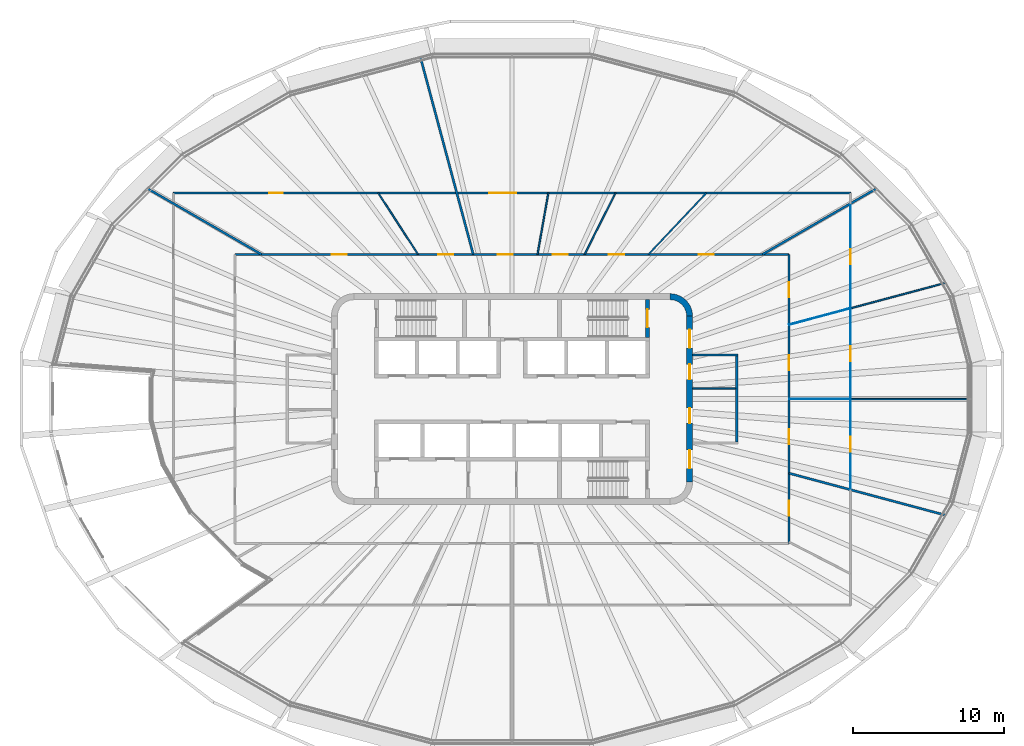
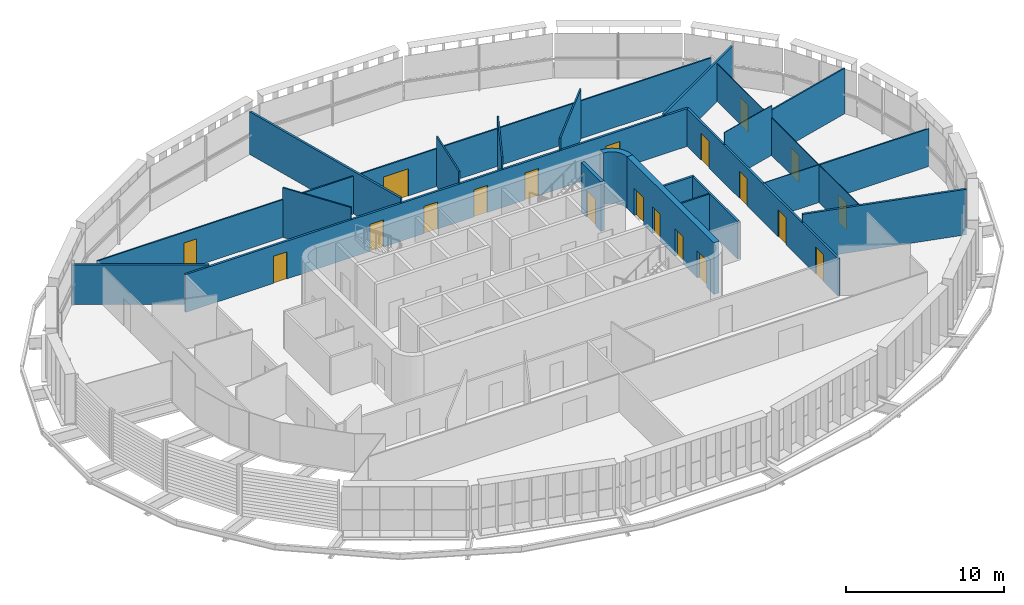
# One storey, part 12 of 20: 22 walls, 20 doors, 20 openings.
"""IFC4 building model written with IfcOpenShell, lengths in metres."""

from ifc_helpers import new_model, si_unit, direction, frame, frame_2d, origin, place, context, subcontext, project, spatial, polyline, rectangle, outline, extrude, material, layer, layer_set, type_object, element, fill, save


model = new_model("IFC4")

# Units and contexts
model_context = context("Model", 3, precision=1e-05, world=origin(), true_north=direction((0.0, 1.0)))
body_context = subcontext(model_context, "Body", "Model", "MODEL_VIEW")
ifc_project = project(units=[si_unit("LENGTHUNIT", "METRE"), si_unit("AREAUNIT", "SQUARE_METRE"), si_unit("VOLUMEUNIT", "CUBIC_METRE"), si_unit("PLANEANGLEUNIT", "RADIAN"), si_unit("MASSUNIT", "GRAM", prefix="KILO")], contexts=[model_context])

# Site, building, storey
site_placement = place(None, origin())
site = spatial("IfcSite", under=ifc_project, at=site_placement, CompositionType="ELEMENT")
building_placement = place(site_placement, origin())
building = spatial("IfcBuilding", under=site, at=building_placement, Name="Sahrelin Media Tower", CompositionType="ELEMENT")
storey_placement = place(building_placement, frame((0.0, 0.0, 225.60009765625)))
storey = spatial("IfcBuildingStorey", under=building, at=storey_placement, Name="L48", CompositionType="ELEMENT", Elevation=225.60009765625)

# Wall, openings, doors
ifc_material_1 = material(Name="Concrete C60/75", Category="concrete")
ifc_layer_1 = layer(ifc_material_1, 0.39990234375)
ifc_layer_set_1 = layer_set([ifc_layer_1], Name="Core wall 400")
wall_type_1 = type_object("IfcWallType", Name="Core wall 400", PredefinedType="SHEAR", material=ifc_layer_set_1)
wall_1_placement = place(storey_placement, frame((11.800048828125, -5.5, 0.0), z_axis=(0.0, 0.0, 1.0), x_axis=(0.0, 1.0, 0.0)))
wall_1 = element("IfcWall", 1, at=wall_1_placement, inside=storey, type_object=wall_type_1, Name="Core wall E L48", PredefinedType="SHEAR", context=body_context, shape_type="SweptSolid", body=[
    extrude(rectangle(XDim=11.0, YDim=0.39990234375, at=frame_2d((5.5, 0.0))), origin(), (0.0, 0.0, 1.0), 4.0),
])
opening_1_placement = place(wall_1_placement, frame((3.89990234375, 0.0, 0.0)))
opening_1 = element("IfcOpeningElement", 2, at=opening_1_placement, cuts=wall_1, Name="Opening L48-D12", PredefinedType="OPENING", context=body_context, shape_type="SweptSolid", body=[
    extrude(rectangle(XDim=1.0, YDim=2.10009765625, at=frame_2d((0.5, 1.050048828125))), frame((0.0, 0.199951171875, 0.0), z_axis=(0.0, -1.0, 0.0), x_axis=(1.0, 0.0, 0.0)), (0.0, 0.0, 1.0), 0.39990234375),
])
opening_2_placement = place(wall_1_placement, frame((6.800048828125, 0.0, 0.0)))
opening_2 = element("IfcOpeningElement", 3, at=opening_2_placement, cuts=wall_1, Name="Opening L48-D13", PredefinedType="OPENING", context=body_context, shape_type="SweptSolid", body=[
    extrude(rectangle(XDim=1.0, YDim=2.10009765625, at=frame_2d((0.5, 1.050048828125))), frame((0.0, 0.199951171875, 0.0), z_axis=(0.0, -1.0, 0.0), x_axis=(1.0, 0.0, 0.0)), (0.0, 0.0, 1.0), 0.39990234375),
])
opening_3_placement = place(wall_1_placement, frame((0.89990234375, 0.0, 0.0)))
opening_3 = element("IfcOpeningElement", 4, at=opening_3_placement, cuts=wall_1, Name="Opening L48-D16", PredefinedType="OPENING", context=body_context, shape_type="SweptSolid", body=[
    extrude(rectangle(XDim=1.199951171875, YDim=2.10009765625, at=frame_2d((0.60009765625, 1.050048828125))), frame((0.0, 0.199951171875, 0.0), z_axis=(0.0, -1.0, 0.0), x_axis=(1.0, 0.0, 0.0)), (0.0, 0.0, 1.0), 0.39990234375),
])
opening_4_placement = place(wall_1_placement, frame((8.89990234375, 0.0, 0.0)))
opening_4 = element("IfcOpeningElement", 5, at=opening_4_placement, cuts=wall_1, Name="Opening L48-D17", PredefinedType="OPENING", context=body_context, shape_type="SweptSolid", body=[
    extrude(rectangle(XDim=1.199951171875, YDim=2.10009765625, at=frame_2d((0.60009765625, 1.050048828125))), frame((0.0, 0.199951171875, 0.0), z_axis=(0.0, -1.0, 0.0), x_axis=(1.0, 0.0, 0.0)), (0.0, 0.0, 1.0), 0.39990234375),
])
ifc_material_2 = material(Name="Steel fire door leaf", Category="steel")
door_type_1 = type_object("IfcDoorType", Name="Fire door 1000 x 2100 EI 60", OperationType="NOTDEFINED", PredefinedType="DOOR", material=ifc_material_2)
door_1_placement = place(opening_1_placement, origin())
door_1 = element("IfcDoor", 6, at=door_1_placement, inside=storey, type_object=door_type_1, Name="Core room door", OperationType="SINGLE_SWING_RIGHT", OverallHeight=2.10009765625, OverallWidth=1.0, PredefinedType="DOOR", context=body_context, shape_type="SweptSolid", body=[
    extrude(rectangle(XDim=1.0, YDim=2.10009765625, at=frame_2d((0.5, 1.050048828125))), frame((0.0, 0.02490234375, 0.0), z_axis=(0.0, -1.0, 0.0), x_axis=(1.0, 0.0, 0.0)), (0.0, 0.0, 1.0), 0.050048828125),
])
fill(opening_1, door_1)
door_2_placement = place(opening_2_placement, origin())
door_2 = element("IfcDoor", 7, at=door_2_placement, inside=storey, type_object=door_type_1, Name="Core room door", OperationType="SINGLE_SWING_RIGHT", OverallHeight=2.10009765625, OverallWidth=1.0, PredefinedType="DOOR", context=body_context, shape_type="SweptSolid", body=[
    extrude(rectangle(XDim=1.0, YDim=2.10009765625, at=frame_2d((0.5, 1.050048828125))), frame((0.0, 0.02490234375, 0.0), z_axis=(0.0, -1.0, 0.0), x_axis=(1.0, 0.0, 0.0)), (0.0, 0.0, 1.0), 0.050048828125),
])
fill(opening_2, door_2)
door_type_2 = type_object("IfcDoorType", Name="Lobby door 1200 x 2100 EI 60", OperationType="NOTDEFINED", PredefinedType="DOOR", material=ifc_material_2)
door_3_placement = place(opening_3_placement, origin())
door_3 = element("IfcDoor", 8, at=door_3_placement, inside=storey, type_object=door_type_2, Name="Lobby door", OperationType="SINGLE_SWING_LEFT", OverallHeight=2.10009765625, OverallWidth=1.199951171875, PredefinedType="DOOR", context=body_context, shape_type="SweptSolid", body=[
    extrude(rectangle(XDim=1.199951171875, YDim=2.10009765625, at=frame_2d((0.60009765625, 1.050048828125))), frame((0.0, 0.02490234375, 0.0), z_axis=(0.0, -1.0, 0.0), x_axis=(1.0, 0.0, 0.0)), (0.0, 0.0, 1.0), 0.050048828125),
])
fill(opening_3, door_3)
door_4_placement = place(opening_4_placement, origin())
door_4 = element("IfcDoor", 9, at=door_4_placement, inside=storey, type_object=door_type_2, Name="Lobby door", OperationType="SINGLE_SWING_LEFT", OverallHeight=2.10009765625, OverallWidth=1.199951171875, PredefinedType="DOOR", context=body_context, shape_type="SweptSolid", body=[
    extrude(rectangle(XDim=1.199951171875, YDim=2.10009765625, at=frame_2d((0.60009765625, 1.050048828125))), frame((0.0, 0.02490234375, 0.0), z_axis=(0.0, -1.0, 0.0), x_axis=(1.0, 0.0, 0.0)), (0.0, 0.0, 1.0), 0.050048828125),
])
fill(opening_4, door_4)

# Walls
wall_2_placement = place(storey_placement, origin())
element("IfcWall", 10, at=wall_2_placement, inside=storey, type_object=wall_type_1, Name="Core wall corner NE L48", PredefinedType="SHEAR", context=body_context, shape_type="SweptSolid", body=[
    extrude(outline(polyline([(10.5, 7.0), (10.5, 6.596435546875), (10.78369140625, 6.55908203125), (11.04833984375, 6.44970703125), (11.275390625, 6.275390625), (11.44970703125, 6.04833984375), (11.55908203125, 5.78369140625), (11.596435546875, 5.5), (12.0, 5.5), (11.948974609375, 5.88818359375), (11.799072265625, 6.25), (11.560791015625, 6.560791015625), (11.25, 6.799072265625), (10.88818359375, 6.948974609375), (10.5, 7.0)])), origin(), (0.0, 0.0, 1.0), 4.0),
])
ifc_material_3 = material(Name="Fire-rated gypsum board partition")
ifc_layer_2 = layer(ifc_material_3, 0.10009765625)
ifc_layer_set_2 = layer_set([ifc_layer_2], Name="Fire-rated partition 100")
wall_type_2 = type_object("IfcWallType", Name="Fire-rated partition 100", PredefinedType="PARTITIONING", material=ifc_layer_set_2)
wall_3_placement = place(storey_placement, frame((12.0, 0.699951171875, 0.0), z_axis=(0.0, 0.0, 1.0), x_axis=(1.0, 0.0, 0.0)))
element("IfcWall", 11, at=wall_3_placement, inside=storey, type_object=wall_type_2, Name="Core room partition", PredefinedType="PARTITIONING", context=body_context, shape_type="SweptSolid", body=[
    extrude(rectangle(XDim=2.85009765625, YDim=0.10009765625, at=frame_2d((1.425048828125, 0.0))), origin(), (0.0, 0.0, 1.0), 2.918212890625),
])
ifc_layer_3 = layer(ifc_material_3, 0.14990234375)
ifc_layer_set_3 = layer_set([ifc_layer_3], Name="Fire-rated partition 150")
wall_type_3 = type_object("IfcWallType", Name="Fire-rated partition 150", PredefinedType="PARTITIONING", material=ifc_layer_set_3)
wall_4_placement = place(storey_placement, frame((14.925048828125, -2.85009765625, 0.0), z_axis=(0.0, 0.0, 1.0), x_axis=(0.0, 1.0, 0.0)))
element("IfcWall", 12, at=wall_4_placement, inside=storey, type_object=wall_type_3, Name="Core room fire partition", PredefinedType="PARTITIONING", context=body_context, shape_type="SweptSolid", body=[
    extrude(rectangle(XDim=5.7001953125, YDim=0.14990234375, at=frame_2d((2.85009765625, 0.0))), origin(), (0.0, 0.0, 1.0), 2.918212890625),
])
wall_5_placement = place(storey_placement, frame((12.0, 2.925048828125, 0.0), z_axis=(0.0, 0.0, 1.0), x_axis=(1.0, 0.0, 0.0)))
element("IfcWall", 13, at=wall_5_placement, inside=storey, type_object=wall_type_3, Name="Core room fire partition", PredefinedType="PARTITIONING", context=body_context, shape_type="SweptSolid", body=[
    extrude(rectangle(XDim=3.0, YDim=0.14990234375, at=frame_2d((1.5, 0.0))), origin(), (0.0, 0.0, 1.0), 2.918212890625),
])
wall_6_placement = place(storey_placement, frame((-6.080078125, 22.68994140625, 0.0), z_axis=(0.0, 0.0, 1.0), x_axis=(0.258842041415, -0.965919664152, 0.0)))
element("IfcWall", 14, at=wall_6_placement, inside=storey, type_object=wall_type_3, Name="Wall", PredefinedType="PARTITIONING", context=body_context, shape_type="SweptSolid", body=[
    extrude(rectangle(XDim=13.552001953125, YDim=0.14990234375, at=frame_2d((6.77587890625, 0.0))), origin(), (0.0, 0.0, 1.0), 3.301513671875),
])
wall_7_placement = place(storey_placement, frame((-24.18994140625, 13.966064453125, 0.0), z_axis=(0.0, 0.0, 1.0), x_axis=(0.866042650443, -0.499970126722, 0.0)))
element("IfcWall", 15, at=wall_7_placement, inside=storey, type_object=wall_type_3, Name="Wall", PredefinedType="PARTITIONING", context=body_context, shape_type="SweptSolid", body=[
    extrude(rectangle(XDim=8.73193359375, YDim=0.14990234375, at=frame_2d((4.365966796875, 0.0))), origin(), (0.0, 0.0, 1.0), 3.075927734375),
])
wall_8_placement = place(storey_placement, frame((18.39990234375, -4.929931640625, 0.0), z_axis=(0.0, 0.0, 1.0), x_axis=(0.965918203443, -0.258847492275, 0.0)))
element("IfcWall", 16, at=wall_8_placement, inside=storey, type_object=wall_type_3, Name="Wall", PredefinedType="PARTITIONING", context=body_context, shape_type="SweptSolid", body=[
    extrude(rectangle(XDim=10.771240234375, YDim=0.14990234375, at=frame_2d((5.3857421875, 0.0))), origin(), (0.0, 0.0, 1.0), 3.526611328125),
])

# Wall, openings, doors
wall_9_placement = place(storey_placement, frame((-18.39990234375, 9.60009765625, 0.0), z_axis=(0.0, 0.0, 1.0), x_axis=(1.0, 0.0, 0.0)))
wall_9 = element("IfcWall", 17, at=wall_9_placement, inside=storey, type_object=wall_type_3, Name="Wall", PredefinedType="PARTITIONING", context=body_context, shape_type="SweptSolid", body=[
    extrude(rectangle(XDim=36.7998046875, YDim=0.14990234375, at=frame_2d((18.39990234375, 0.0))), origin(), (0.0, 0.0, 1.0), 2.927001953125),
])
opening_5_placement = place(wall_9_placement, frame((30.793212890625, 0.0, 0.0)))
opening_5 = element("IfcOpeningElement", 18, at=opening_5_placement, cuts=wall_9, Name="Opening L48-D37", PredefinedType="OPENING", context=body_context, shape_type="SweptSolid", body=[
    extrude(rectangle(XDim=1.0, YDim=2.10009765625, at=frame_2d((0.5, 1.050048828125))), frame((0.0, 0.074951171875, 0.0), z_axis=(0.0, -1.0, 0.0), x_axis=(1.0, 0.0, 0.0)), (0.0, 0.0, 1.0), 0.14990234375),
])
opening_6_placement = place(wall_9_placement, frame((24.839599609375, 0.0, 0.0)))
opening_6 = element("IfcOpeningElement", 19, at=opening_6_placement, cuts=wall_9, Name="Opening L48-D38", PredefinedType="OPENING", context=body_context, shape_type="SweptSolid", body=[
    extrude(rectangle(XDim=1.0, YDim=2.10009765625, at=frame_2d((0.5, 1.050048828125))), frame((0.0, 0.074951171875, 0.0), z_axis=(0.0, -1.0, 0.0), x_axis=(1.0, 0.0, 0.0)), (0.0, 0.0, 1.0), 0.14990234375),
])
opening_7_placement = place(wall_9_placement, frame((21.10595703125, 0.0, 0.0)))
opening_7 = element("IfcOpeningElement", 20, at=opening_7_placement, cuts=wall_9, Name="Opening L48-D39", PredefinedType="OPENING", context=body_context, shape_type="SweptSolid", body=[
    extrude(rectangle(XDim=1.0, YDim=2.10009765625, at=frame_2d((0.5, 1.050048828125))), frame((0.0, 0.074951171875, 0.0), z_axis=(0.0, -1.0, 0.0), x_axis=(1.0, 0.0, 0.0)), (0.0, 0.0, 1.0), 0.14990234375),
])
opening_8_placement = place(wall_9_placement, frame((17.46044921875, 0.0, 0.0)))
opening_8 = element("IfcOpeningElement", 21, at=opening_8_placement, cuts=wall_9, Name="Opening L48-D40", PredefinedType="OPENING", context=body_context, shape_type="SweptSolid", body=[
    extrude(rectangle(XDim=1.0, YDim=2.10009765625, at=frame_2d((0.5, 1.050048828125))), frame((0.0, 0.074951171875, 0.0), z_axis=(0.0, -1.0, 0.0), x_axis=(1.0, 0.0, 0.0)), (0.0, 0.0, 1.0), 0.14990234375),
])
opening_9_placement = place(wall_9_placement, frame((13.4970703125, 0.0, 0.0)))
opening_9 = element("IfcOpeningElement", 22, at=opening_9_placement, cuts=wall_9, Name="Opening L48-D42", PredefinedType="OPENING", context=body_context, shape_type="SweptSolid", body=[
    extrude(rectangle(XDim=1.0, YDim=2.10009765625, at=frame_2d((0.5, 1.050048828125))), frame((0.0, 0.074951171875, 0.0), z_axis=(0.0, -1.0, 0.0), x_axis=(1.0, 0.0, 0.0)), (0.0, 0.0, 1.0), 0.14990234375),
])
opening_10_placement = place(wall_9_placement, frame((6.41845703125, 0.0, 0.0)))
opening_10 = element("IfcOpeningElement", 23, at=opening_10_placement, cuts=wall_9, Name="Opening L48-D43", PredefinedType="OPENING", context=body_context, shape_type="SweptSolid", body=[
    extrude(rectangle(XDim=1.0, YDim=2.10009765625, at=frame_2d((0.5, 1.050048828125))), frame((0.0, 0.074951171875, 0.0), z_axis=(0.0, -1.0, 0.0), x_axis=(1.0, 0.0, 0.0)), (0.0, 0.0, 1.0), 0.14990234375),
])
door_5_placement = place(opening_5_placement, origin())
door_5 = element("IfcDoor", 24, at=door_5_placement, inside=storey, type_object=door_type_1, Name="Fire door", OperationType="SINGLE_SWING_LEFT", OverallHeight=2.10009765625, OverallWidth=1.0, PredefinedType="DOOR", context=body_context, shape_type="SweptSolid", body=[
    extrude(rectangle(XDim=1.0, YDim=2.10009765625, at=frame_2d((0.5, 1.050048828125))), frame((0.0, 0.02490234375, 0.0), z_axis=(0.0, -1.0, 0.0), x_axis=(1.0, 0.0, 0.0)), (0.0, 0.0, 1.0), 0.050048828125),
])
fill(opening_5, door_5)
door_6_placement = place(opening_6_placement, origin())
door_6 = element("IfcDoor", 25, at=door_6_placement, inside=storey, type_object=door_type_1, Name="Fire door", OperationType="SINGLE_SWING_LEFT", OverallHeight=2.10009765625, OverallWidth=1.0, PredefinedType="DOOR", context=body_context, shape_type="SweptSolid", body=[
    extrude(rectangle(XDim=1.0, YDim=2.10009765625, at=frame_2d((0.5, 1.050048828125))), frame((0.0, 0.02490234375, 0.0), z_axis=(0.0, -1.0, 0.0), x_axis=(1.0, 0.0, 0.0)), (0.0, 0.0, 1.0), 0.050048828125),
])
fill(opening_6, door_6)
door_7_placement = place(opening_7_placement, origin())
door_7 = element("IfcDoor", 26, at=door_7_placement, inside=storey, type_object=door_type_1, Name="Fire door", OperationType="SINGLE_SWING_RIGHT", OverallHeight=2.10009765625, OverallWidth=1.0, PredefinedType="DOOR", context=body_context, shape_type="SweptSolid", body=[
    extrude(rectangle(XDim=1.0, YDim=2.10009765625, at=frame_2d((0.5, 1.050048828125))), frame((0.0, 0.02490234375, 0.0), z_axis=(0.0, -1.0, 0.0), x_axis=(1.0, 0.0, 0.0)), (0.0, 0.0, 1.0), 0.050048828125),
])
fill(opening_7, door_7)
door_8_placement = place(opening_8_placement, origin())
door_8 = element("IfcDoor", 27, at=door_8_placement, inside=storey, type_object=door_type_1, Name="Fire door", OperationType="SINGLE_SWING_LEFT", OverallHeight=2.10009765625, OverallWidth=1.0, PredefinedType="DOOR", context=body_context, shape_type="SweptSolid", body=[
    extrude(rectangle(XDim=1.0, YDim=2.10009765625, at=frame_2d((0.5, 1.050048828125))), frame((0.0, 0.02490234375, 0.0), z_axis=(0.0, -1.0, 0.0), x_axis=(1.0, 0.0, 0.0)), (0.0, 0.0, 1.0), 0.050048828125),
])
fill(opening_8, door_8)
door_9_placement = place(opening_9_placement, origin())
door_9 = element("IfcDoor", 28, at=door_9_placement, inside=storey, type_object=door_type_1, Name="Fire door", OperationType="SINGLE_SWING_LEFT", OverallHeight=2.10009765625, OverallWidth=1.0, PredefinedType="DOOR", context=body_context, shape_type="SweptSolid", body=[
    extrude(rectangle(XDim=1.0, YDim=2.10009765625, at=frame_2d((0.5, 1.050048828125))), frame((0.0, 0.02490234375, 0.0), z_axis=(0.0, -1.0, 0.0), x_axis=(1.0, 0.0, 0.0)), (0.0, 0.0, 1.0), 0.050048828125),
])
fill(opening_9, door_9)
door_10_placement = place(opening_10_placement, origin())
door_10 = element("IfcDoor", 29, at=door_10_placement, inside=storey, type_object=door_type_1, Name="Fire door", OperationType="SINGLE_SWING_LEFT", OverallHeight=2.10009765625, OverallWidth=1.0, PredefinedType="DOOR", context=body_context, shape_type="SweptSolid", body=[
    extrude(rectangle(XDim=1.0, YDim=2.10009765625, at=frame_2d((0.5, 1.050048828125))), frame((0.0, 0.02490234375, 0.0), z_axis=(0.0, -1.0, 0.0), x_axis=(1.0, 0.0, 0.0)), (0.0, 0.0, 1.0), 0.050048828125),
])
fill(opening_10, door_10)

# Wall
wall_10_placement = place(storey_placement, frame((16.6279296875, 9.60009765625, 0.0), z_axis=(0.0, 0.0, 1.0), x_axis=(0.865980240946, 0.500078216174, 0.0)))
element("IfcWall", 30, at=wall_10_placement, inside=storey, type_object=wall_type_3, Name="Wall", PredefinedType="PARTITIONING", context=body_context, shape_type="SweptSolid", body=[
    extrude(rectangle(XDim=8.73193359375, YDim=0.14990234375, at=frame_2d((4.365966796875, 0.0))), origin(), (0.0, 0.0, 1.0), 3.075927734375),
])

# Wall, openings, doors
wall_11_placement = place(storey_placement, frame((18.39990234375, -9.60009765625, 0.0), z_axis=(0.0, 0.0, 1.0), x_axis=(0.0, 1.0, 0.0)))
wall_11 = element("IfcWall", 31, at=wall_11_placement, inside=storey, type_object=wall_type_3, Name="Wall", PredefinedType="PARTITIONING", context=body_context, shape_type="SweptSolid", body=[
    extrude(rectangle(XDim=19.2001953125, YDim=0.14990234375, at=frame_2d((9.60009765625, 0.0))), origin(), (0.0, 0.0, 1.0), 2.918212890625),
])
opening_11_placement = place(wall_11_placement, frame((1.8349609375, 0.0, 0.0)))
opening_11 = element("IfcOpeningElement", 32, at=opening_11_placement, cuts=wall_11, Name="Opening L48-D29", PredefinedType="OPENING", context=body_context, shape_type="SweptSolid", body=[
    extrude(rectangle(XDim=1.0, YDim=2.10009765625, at=frame_2d((0.5, 1.050048828125))), frame((0.0, 0.074951171875, 0.0), z_axis=(0.0, -1.0, 0.0), x_axis=(1.0, 0.0, 0.0)), (0.0, 0.0, 1.0), 0.14990234375),
])
opening_12_placement = place(wall_11_placement, frame((6.58447265625, 0.0, 0.0)))
opening_12 = element("IfcOpeningElement", 33, at=opening_12_placement, cuts=wall_11, Name="Opening L48-D31", PredefinedType="OPENING", context=body_context, shape_type="SweptSolid", body=[
    extrude(rectangle(XDim=1.0, YDim=2.10009765625, at=frame_2d((0.5, 1.050048828125))), frame((0.0, 0.074951171875, 0.0), z_axis=(0.0, -1.0, 0.0), x_axis=(1.0, 0.0, 0.0)), (0.0, 0.0, 1.0), 0.14990234375),
])
opening_13_placement = place(wall_11_placement, frame((11.514404296875, 0.0, 0.0)))
opening_13 = element("IfcOpeningElement", 34, at=opening_13_placement, cuts=wall_11, Name="Opening L48-D32", PredefinedType="OPENING", context=body_context, shape_type="SweptSolid", body=[
    extrude(rectangle(XDim=1.0, YDim=2.10009765625, at=frame_2d((0.5, 1.050048828125))), frame((0.0, 0.074951171875, 0.0), z_axis=(0.0, -1.0, 0.0), x_axis=(1.0, 0.0, 0.0)), (0.0, 0.0, 1.0), 0.14990234375),
])
opening_14_placement = place(wall_11_placement, frame((16.364990234375, 0.0, 0.0)))
opening_14 = element("IfcOpeningElement", 35, at=opening_14_placement, cuts=wall_11, Name="Opening L48-D33", PredefinedType="OPENING", context=body_context, shape_type="SweptSolid", body=[
    extrude(rectangle(XDim=1.0, YDim=2.10009765625, at=frame_2d((0.5, 1.050048828125))), frame((0.0, 0.074951171875, 0.0), z_axis=(0.0, -1.0, 0.0), x_axis=(1.0, 0.0, 0.0)), (0.0, 0.0, 1.0), 0.14990234375),
])
door_11_placement = place(opening_11_placement, origin())
door_11 = element("IfcDoor", 36, at=door_11_placement, inside=storey, type_object=door_type_1, Name="Fire door", OperationType="SINGLE_SWING_RIGHT", OverallHeight=2.10009765625, OverallWidth=1.0, PredefinedType="DOOR", context=body_context, shape_type="SweptSolid", body=[
    extrude(rectangle(XDim=1.0, YDim=2.10009765625, at=frame_2d((0.5, 1.050048828125))), frame((0.0, 0.02490234375, 0.0), z_axis=(0.0, -1.0, 0.0), x_axis=(1.0, 0.0, 0.0)), (0.0, 0.0, 1.0), 0.050048828125),
])
fill(opening_11, door_11)
door_12_placement = place(opening_12_placement, origin())
door_12 = element("IfcDoor", 37, at=door_12_placement, inside=storey, type_object=door_type_1, Name="Fire door", OperationType="SINGLE_SWING_RIGHT", OverallHeight=2.10009765625, OverallWidth=1.0, PredefinedType="DOOR", context=body_context, shape_type="SweptSolid", body=[
    extrude(rectangle(XDim=1.0, YDim=2.10009765625, at=frame_2d((0.5, 1.050048828125))), frame((0.0, 0.02490234375, 0.0), z_axis=(0.0, -1.0, 0.0), x_axis=(1.0, 0.0, 0.0)), (0.0, 0.0, 1.0), 0.050048828125),
])
fill(opening_12, door_12)
door_13_placement = place(opening_13_placement, origin())
door_13 = element("IfcDoor", 38, at=door_13_placement, inside=storey, type_object=door_type_1, Name="Fire door", OperationType="SINGLE_SWING_RIGHT", OverallHeight=2.10009765625, OverallWidth=1.0, PredefinedType="DOOR", context=body_context, shape_type="SweptSolid", body=[
    extrude(rectangle(XDim=1.0, YDim=2.10009765625, at=frame_2d((0.5, 1.050048828125))), frame((0.0, 0.02490234375, 0.0), z_axis=(0.0, -1.0, 0.0), x_axis=(1.0, 0.0, 0.0)), (0.0, 0.0, 1.0), 0.050048828125),
])
fill(opening_13, door_13)
door_14_placement = place(opening_14_placement, origin())
door_14 = element("IfcDoor", 39, at=door_14_placement, inside=storey, type_object=door_type_1, Name="Fire door", OperationType="SINGLE_SWING_RIGHT", OverallHeight=2.10009765625, OverallWidth=1.0, PredefinedType="DOOR", context=body_context, shape_type="SweptSolid", body=[
    extrude(rectangle(XDim=1.0, YDim=2.10009765625, at=frame_2d((0.5, 1.050048828125))), frame((0.0, 0.02490234375, 0.0), z_axis=(0.0, -1.0, 0.0), x_axis=(1.0, 0.0, 0.0)), (0.0, 0.0, 1.0), 0.050048828125),
])
fill(opening_14, door_14)

# Walls
ifc_material_4 = material(Name="Clear glass", Category="glass")
ifc_layer_4 = layer(ifc_material_4, 0.050048828125)
ifc_layer_set_4 = layer_set([ifc_layer_4], Name="Glazed partition 50")
wall_type_4 = type_object("IfcWallType", Name="Glazed partition 50", PredefinedType="PARTITIONING", material=ifc_layer_set_4)
wall_12_placement = place(storey_placement, frame((18.39990234375, 0.0, 0.0), z_axis=(0.0, 0.0, 1.0), x_axis=(1.0, 0.0, 0.0)))
element("IfcWall", 40, at=wall_12_placement, inside=storey, type_object=wall_type_4, Name="Wall", PredefinedType="PARTITIONING", context=body_context, shape_type="SweptSolid", body=[
    extrude(rectangle(XDim=4.080078125, YDim=0.050048828125, at=frame_2d((2.0400390625, 0.0))), origin(), (0.0, 0.0, 1.0), 2.927001953125),
])
wall_13_placement = place(storey_placement, frame((18.39990234375, 4.929931640625, 0.0), z_axis=(0.0, 0.0, 1.0), x_axis=(0.965881987453, 0.258982598479, 0.0)))
element("IfcWall", 41, at=wall_13_placement, inside=storey, type_object=wall_type_4, Name="Wall", PredefinedType="PARTITIONING", context=body_context, shape_type="SweptSolid", body=[
    extrude(rectangle(XDim=4.22412109375, YDim=0.050048828125, at=frame_2d((2.112060546875, 0.0))), origin(), (0.0, 0.0, 1.0), 3.849853515625),
])

# Wall, openings, doors
wall_14_placement = place(storey_placement, frame((22.47998046875, -6.02294921875, 0.0), z_axis=(0.0, 0.0, 1.0), x_axis=(0.0, 1.0, 0.0)))
wall_14 = element("IfcWall", 42, at=wall_14_placement, inside=storey, type_object=wall_type_4, Name="Wall", PredefinedType="PARTITIONING", context=body_context, shape_type="SweptSolid", body=[
    extrude(rectangle(XDim=19.001953125, YDim=0.050048828125, at=frame_2d((9.5009765625, 0.0))), origin(), (0.0, 0.0, 1.0), 2.918212890625),
])
opening_15_placement = place(wall_14_placement, frame((2.511474609375, 0.0, 0.0)))
opening_15 = element("IfcOpeningElement", 43, at=opening_15_placement, cuts=wall_14, Name="Opening L48-D34", PredefinedType="OPENING", context=body_context, shape_type="SweptSolid", body=[
    extrude(rectangle(XDim=1.0, YDim=2.10009765625, at=frame_2d((0.5, 1.050048828125))), frame((0.0, 0.02490234375, 0.0), z_axis=(0.0, -1.0, 0.0), x_axis=(1.0, 0.0, 0.0)), (0.0, 0.0, 1.0), 0.050048828125),
])
opening_16_placement = place(wall_14_placement, frame((8.534423828125, 0.0, 0.0)))
opening_16 = element("IfcOpeningElement", 44, at=opening_16_placement, cuts=wall_14, Name="Opening L48-D35", PredefinedType="OPENING", context=body_context, shape_type="SweptSolid", body=[
    extrude(rectangle(XDim=1.0, YDim=2.10009765625, at=frame_2d((0.5, 1.050048828125))), frame((0.0, 0.02490234375, 0.0), z_axis=(0.0, -1.0, 0.0), x_axis=(1.0, 0.0, 0.0)), (0.0, 0.0, 1.0), 0.050048828125),
])
opening_17_placement = place(wall_14_placement, frame((14.973876953125, 0.0, 0.0)))
opening_17 = element("IfcOpeningElement", 45, at=opening_17_placement, cuts=wall_14, Name="Opening L48-D36", PredefinedType="OPENING", context=body_context, shape_type="SweptSolid", body=[
    extrude(rectangle(XDim=1.0, YDim=2.10009765625, at=frame_2d((0.5, 1.050048828125))), frame((0.0, 0.02490234375, 0.0), z_axis=(0.0, -1.0, 0.0), x_axis=(1.0, 0.0, 0.0)), (0.0, 0.0, 1.0), 0.050048828125),
])
door_type_3 = type_object("IfcDoorType", Name="Glazed door 1000 x 2100", OperationType="NOTDEFINED", PredefinedType="DOOR", material=ifc_material_4)
door_15_placement = place(opening_15_placement, origin())
door_15 = element("IfcDoor", 46, at=door_15_placement, inside=storey, type_object=door_type_3, Name="Glazed door", OperationType="SINGLE_SWING_LEFT", OverallHeight=2.10009765625, OverallWidth=1.0, PredefinedType="DOOR", context=body_context, shape_type="SweptSolid", body=[
    extrude(rectangle(XDim=1.0, YDim=2.10009765625, at=frame_2d((0.5, 1.050048828125))), frame((0.0, 0.02490234375, 0.0), z_axis=(0.0, -1.0, 0.0), x_axis=(1.0, 0.0, 0.0)), (0.0, 0.0, 1.0), 0.049560546875),
])
fill(opening_15, door_15)
door_16_placement = place(opening_16_placement, origin())
door_16 = element("IfcDoor", 47, at=door_16_placement, inside=storey, type_object=door_type_3, Name="Glazed door", OperationType="SINGLE_SWING_LEFT", OverallHeight=2.10009765625, OverallWidth=1.0, PredefinedType="DOOR", context=body_context, shape_type="SweptSolid", body=[
    extrude(rectangle(XDim=1.0, YDim=2.10009765625, at=frame_2d((0.5, 1.050048828125))), frame((0.0, 0.02490234375, 0.0), z_axis=(0.0, -1.0, 0.0), x_axis=(1.0, 0.0, 0.0)), (0.0, 0.0, 1.0), 0.049560546875),
])
fill(opening_16, door_16)
door_17_placement = place(opening_17_placement, origin())
door_17 = element("IfcDoor", 48, at=door_17_placement, inside=storey, type_object=door_type_3, Name="Glazed door", OperationType="SINGLE_SWING_LEFT", OverallHeight=2.10009765625, OverallWidth=1.0, PredefinedType="DOOR", context=body_context, shape_type="SweptSolid", body=[
    extrude(rectangle(XDim=1.0, YDim=2.10009765625, at=frame_2d((0.5, 1.050048828125))), frame((0.0, 0.02490234375, 0.0), z_axis=(0.0, -1.0, 0.0), x_axis=(1.0, 0.0, 0.0)), (0.0, 0.0, 1.0), 0.049560546875),
])
fill(opening_17, door_17)

# Walls
ifc_material_5 = material(Name="Gypsum board partition")
ifc_layer_5 = layer(ifc_material_5, 0.10009765625)
ifc_layer_set_5 = layer_set([ifc_layer_5], Name="Partition 100")
wall_type_5 = type_object("IfcWallType", Name="Partition 100", PredefinedType="PARTITIONING", material=ifc_layer_set_5)
wall_15_placement = place(storey_placement, frame((-8.884033203125, 13.679931640625, 0.0), z_axis=(0.0, 0.0, 1.0), x_axis=(0.544736088182, -0.838607532898, 0.0)))
element("IfcWall", 49, at=wall_15_placement, inside=storey, type_object=wall_type_5, Name="Wall", PredefinedType="PARTITIONING", context=body_context, shape_type="SweptSolid", body=[
    extrude(rectangle(XDim=4.864990234375, YDim=0.10009765625, at=frame_2d((2.4326171875, 0.0))), origin(), (0.0, 0.0, 1.0), 3.849853515625),
])
wall_16_placement = place(storey_placement, frame((22.47998046875, 0.0, 0.0), z_axis=(0.0, 0.0, 1.0), x_axis=(1.0, 0.0, 0.0)))
element("IfcWall", 50, at=wall_16_placement, inside=storey, type_object=wall_type_5, Name="Wall", PredefinedType="PARTITIONING", context=body_context, shape_type="SweptSolid", body=[
    extrude(rectangle(XDim=8.0390625, YDim=0.10009765625, at=frame_2d((4.01953125, 0.0))), origin(), (0.0, 0.0, 1.0), 2.927001953125),
])

# Wall, openings, doors
wall_17_placement = place(storey_placement, frame((-22.47998046875, 13.679931640625, 0.0), z_axis=(0.0, 0.0, 1.0), x_axis=(1.0, 0.0, 0.0)))
wall_17 = element("IfcWall", 51, at=wall_17_placement, inside=storey, type_object=wall_type_5, Name="Wall", PredefinedType="PARTITIONING", context=body_context, shape_type="SweptSolid", body=[
    extrude(rectangle(XDim=44.9599609375, YDim=0.10009765625, at=frame_2d((22.47998046875, 0.0))), origin(), (0.0, 0.0, 1.0), 2.927001953125),
])
opening_18_placement = place(wall_17_placement, frame((20.95361328125, 0.0, 0.0)))
opening_18 = element("IfcOpeningElement", 52, at=opening_18_placement, cuts=wall_17, Name="Opening L48-D41", PredefinedType="OPENING", context=body_context, shape_type="SweptSolid", body=[
    extrude(rectangle(XDim=1.800048828125, YDim=2.10009765625, at=frame_2d((0.89990234375, 1.050048828125))), frame((0.0, 0.050048828125, 0.0), z_axis=(0.0, -1.0, 0.0), x_axis=(1.0, 0.0, 0.0)), (0.0, 0.0, 1.0), 0.10009765625),
])
opening_19_placement = place(wall_17_placement, frame((6.347900390625, 0.0, 0.0)))
opening_19 = element("IfcOpeningElement", 53, at=opening_19_placement, cuts=wall_17, Name="Opening L48-D44", PredefinedType="OPENING", context=body_context, shape_type="SweptSolid", body=[
    extrude(rectangle(XDim=0.89990234375, YDim=2.10009765625, at=frame_2d((0.449951171875, 1.050048828125))), frame((0.0, 0.050048828125, 0.0), z_axis=(0.0, -1.0, 0.0), x_axis=(1.0, 0.0, 0.0)), (0.0, 0.0, 1.0), 0.10009765625),
])
ifc_material_6 = material(Name="Timber door leaf", Category="wood")
door_type_4 = type_object("IfcDoorType", Name="Double door 1800 x 2100", OperationType="DOUBLE_DOOR_SINGLE_SWING", PredefinedType="DOOR", material=ifc_material_6)
door_18_placement = place(opening_18_placement, origin())
door_18 = element("IfcDoor", 54, at=door_18_placement, inside=storey, type_object=door_type_4, Name="Double door", OperationType="DOUBLE_DOOR_SINGLE_SWING", OverallHeight=2.10009765625, OverallWidth=1.800048828125, PredefinedType="DOOR", context=body_context, shape_type="SweptSolid", body=[
    extrude(rectangle(XDim=1.800048828125, YDim=2.10009765625, at=frame_2d((0.89990234375, 1.050048828125))), frame((0.0, 0.02490234375, 0.0), z_axis=(0.0, -1.0, 0.0), x_axis=(1.0, 0.0, 0.0)), (0.0, 0.0, 1.0), 0.050048828125),
])
fill(opening_18, door_18)
door_type_5 = type_object("IfcDoorType", Name="Single door 900 x 2100", OperationType="NOTDEFINED", PredefinedType="DOOR", material=ifc_material_6)
door_19_placement = place(opening_19_placement, origin())
door_19 = element("IfcDoor", 55, at=door_19_placement, inside=storey, type_object=door_type_5, Name="Single door", OperationType="SINGLE_SWING_RIGHT", OverallHeight=2.10009765625, OverallWidth=0.89990234375, PredefinedType="DOOR", context=body_context, shape_type="SweptSolid", body=[
    extrude(rectangle(XDim=0.89990234375, YDim=2.10009765625, at=frame_2d((0.449951171875, 1.050048828125))), frame((0.0, 0.02490234375, 0.0), z_axis=(0.0, -1.0, 0.0), x_axis=(1.0, 0.0, 0.0)), (0.0, 0.0, 1.0), 0.050048828125),
])
fill(opening_19, door_19)

# Walls
wall_18_placement = place(storey_placement, frame((22.47998046875, 6.02294921875, 0.0), z_axis=(0.0, 0.0, 1.0), x_axis=(0.965904269097, 0.258899484243, 0.0)))
element("IfcWall", 56, at=wall_18_placement, inside=storey, type_object=wall_type_5, Name="Wall", PredefinedType="PARTITIONING", context=body_context, shape_type="SweptSolid", body=[
    extrude(rectangle(XDim=6.547119140625, YDim=0.10009765625, at=frame_2d((3.2734375, 0.0))), origin(), (0.0, 0.0, 1.0), 3.526611328125),
])
wall_19_placement = place(storey_placement, frame((9.056884765625, 9.60009765625, 0.0), z_axis=(0.0, 0.0, 1.0), x_axis=(0.686333382584, 0.727287073961, 0.0)))
element("IfcWall", 57, at=wall_19_placement, inside=storey, type_object=wall_type_5, Name="Wall", PredefinedType="PARTITIONING", context=body_context, shape_type="SweptSolid", body=[
    extrude(rectangle(XDim=5.609619140625, YDim=0.10009765625, at=frame_2d((2.8046875, 0.0))), origin(), (0.0, 0.0, 1.0), 3.849853515625),
])
wall_20_placement = place(storey_placement, frame((4.822021484375, 9.60009765625, 0.0), z_axis=(0.0, 0.0, 1.0), x_axis=(0.448817131352, 0.89362362469, 0.0)))
element("IfcWall", 58, at=wall_20_placement, inside=storey, type_object=wall_type_5, Name="Wall", PredefinedType="PARTITIONING", context=body_context, shape_type="SweptSolid", body=[
    extrude(rectangle(XDim=4.5654296875, YDim=0.10009765625, at=frame_2d((2.28271484375, 0.0))), origin(), (0.0, 0.0, 1.0), 3.849853515625),
])
wall_21_placement = place(storey_placement, frame((1.693115234375, 9.60009765625, 0.0), z_axis=(0.0, 0.0, 1.0), x_axis=(0.173556717923, 0.984823875454, 0.0)))
element("IfcWall", 59, at=wall_21_placement, inside=storey, type_object=wall_type_5, Name="Wall", PredefinedType="PARTITIONING", context=body_context, shape_type="SweptSolid", body=[
    extrude(rectangle(XDim=4.142822265625, YDim=0.10009765625, at=frame_2d((2.0712890625, 0.0))), origin(), (0.0, 0.0, 1.0), 3.849853515625),
])

# Wall, opening, door
ifc_layer_6 = layer(ifc_material_1, 0.25)
ifc_layer_set_6 = layer_set([ifc_layer_6], Name="Stair enclosure wall 250")
wall_type_6 = type_object("IfcWallType", Name="Stair enclosure wall 250", PredefinedType="SOLIDWALL", material=ifc_layer_set_6)
wall_22_placement = place(storey_placement, frame((9.0, 4.10009765625, 0.0), z_axis=(0.0, 0.0, 1.0), x_axis=(0.0, 1.0, 0.0)))
wall_22 = element("IfcWall", 60, at=wall_22_placement, inside=storey, type_object=wall_type_6, Name="Stair enclosure wall", PredefinedType="SOLIDWALL", context=body_context, shape_type="SweptSolid", body=[
    extrude(rectangle(XDim=2.5, YDim=0.25, at=frame_2d((1.25, 0.0))), origin(), (0.0, 0.0, 1.0), 3.849853515625),
])
opening_20_placement = place(wall_22_placement, frame((0.64990234375, 0.0, 0.0)))
opening_20 = element("IfcOpeningElement", 61, at=opening_20_placement, cuts=wall_22, Name="Opening L48-D02", PredefinedType="OPENING", context=body_context, shape_type="SweptSolid", body=[
    extrude(rectangle(XDim=1.199951171875, YDim=2.10009765625, at=frame_2d((0.60009765625, 1.050048828125))), frame((0.0, 0.125, 0.0), z_axis=(0.0, -1.0, 0.0), x_axis=(1.0, 0.0, 0.0)), (0.0, 0.0, 1.0), 0.25),
])
door_type_6 = type_object("IfcDoorType", Name="Stair door 1200 x 2100 EI 120", OperationType="NOTDEFINED", PredefinedType="DOOR", material=ifc_material_2)
door_20_placement = place(opening_20_placement, origin())
door_20 = element("IfcDoor", 62, at=door_20_placement, inside=storey, type_object=door_type_6, Name="Stair door ST3", OperationType="SINGLE_SWING_LEFT", OverallHeight=2.10009765625, OverallWidth=1.199951171875, PredefinedType="DOOR", context=body_context, shape_type="SweptSolid", body=[
    extrude(rectangle(XDim=1.199951171875, YDim=2.10009765625, at=frame_2d((0.60009765625, 1.050048828125))), frame((0.0, 0.02490234375, 0.0), z_axis=(0.0, -1.0, 0.0), x_axis=(1.0, 0.0, 0.0)), (0.0, 0.0, 1.0), 0.050048828125),
])
fill(opening_20, door_20)

save(model, "model.ifc")
